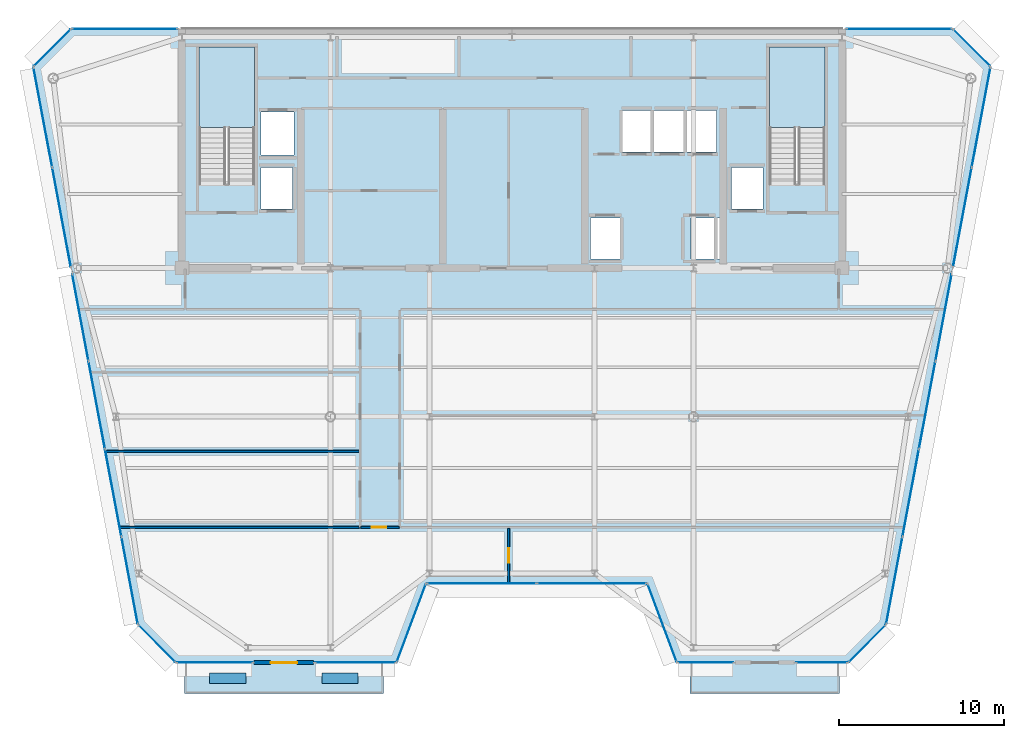
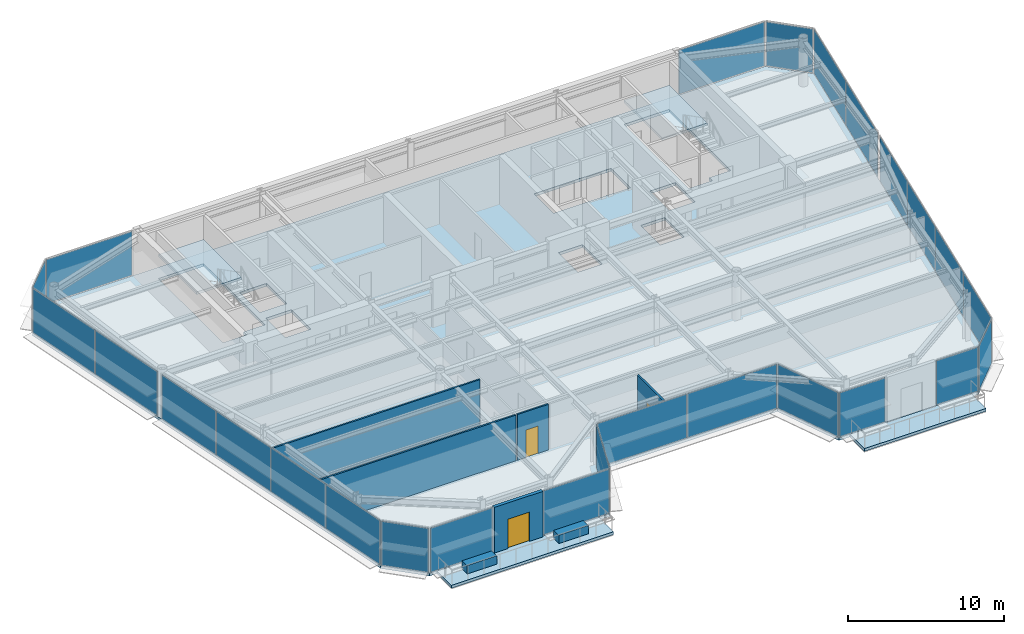
# One storey, part 10 of 20: 26 plates, 7 walls, 5 slabs, 3 doors, 3 openings, 19 elements without a shape of their own.
"""IFC4 building model written with IfcOpenShell, lengths in metres."""

from ifc_helpers import new_model, si_unit, direction, frame, frame_2d, origin, origin_2d, place, context, subcontext, project, spatial, polyline, rectangle, outline, extrude, source, transform, mapped, material, layer, layer_set, type_object, element, fill, aggregate, save


model = new_model("IFC4")

# Units and contexts
model_context = context("Model", 3, precision=1e-05, world=origin(), true_north=direction((0.0, 1.0)))
body_context = subcontext(model_context, "Body", "Model", "MODEL_VIEW")
ifc_project = project(units=[si_unit("LENGTHUNIT", "METRE"), si_unit("AREAUNIT", "SQUARE_METRE"), si_unit("VOLUMEUNIT", "CUBIC_METRE"), si_unit("PLANEANGLEUNIT", "RADIAN"), si_unit("MASSUNIT", "GRAM", prefix="KILO")], contexts=[model_context])

# Site, building, storey
site_placement = place(None, origin())
site = spatial("IfcSite", under=ifc_project, at=site_placement, CompositionType="ELEMENT")
building_placement = place(site_placement, origin())
building = spatial("IfcBuilding", under=site, at=building_placement, Name="Vaeldorn Concourse Tower", CompositionType="ELEMENT")
storey_placement = place(building_placement, frame((0.0, 0.0, 268.800048828125)))
storey = spatial("IfcBuildingStorey", under=building, at=storey_placement, Name="L69", CompositionType="ELEMENT", Elevation=268.800048828125)

# Slabs
ifc_material_1 = material(Name="Concrete C40/50", Category="concrete")
ifc_layer_1 = layer(ifc_material_1, 0.219970703125)
ifc_layer_set_1 = layer_set([ifc_layer_1], Name="Concrete C40/50")
slab_type_1 = type_object("IfcSlabType", Name="SL-SKYGARDEN", PredefinedType="FLOOR", material=ifc_layer_set_1)
slab_1_placement = place(storey_placement, frame((0.0, 0.0, -0.219970703125)))
element("IfcSlab", 1, at=slab_1_placement, inside=storey, type_object=slab_type_1, Name="Executive Crest Sky Garden Terrace Slab 1", PredefinedType="FLOOR", context=body_context, shape_type="SweptSolid", body=[
    extrude(outline(polyline([(14.166015625, 10.719970703125), (26.199951171875, 10.719970703125), (26.199951171875, 12.580078125), (14.166015625, 12.580078125), (14.166015625, 10.719970703125)])), origin(), (0.0, 0.0, 1.0), 0.219970703125),
])
slab_2_placement = place(storey_placement, frame((0.0, 0.0, -0.219970703125)))
element("IfcSlab", 2, at=slab_2_placement, inside=storey, type_object=slab_type_1, Name="Executive Crest Sky Garden Terrace Slab 2", PredefinedType="FLOOR", context=body_context, shape_type="SweptSolid", body=[
    extrude(outline(polyline([(44.800048828125, 10.719970703125), (53.833984375, 10.719970703125), (53.833984375, 12.580078125), (44.800048828125, 12.580078125), (44.800048828125, 10.719970703125)])), origin(), (0.0, 0.0, 1.0), 0.219970703125),
])

# Stair, slab
ifc_material_2 = material(Name="Precast concrete C40/50", Category="concrete")
stair_type = type_object("IfcStairType", Name="STR-DOG-24x158", PredefinedType="HALF_TURN_STAIR", material=ifc_material_2)
stair_1_placement = place(storey_placement, origin())
stair_1 = element("IfcStair", 3, at=stair_1_placement, inside=storey, type_object=stair_type, Name="L69 West Core Exit Stair ST-1", PredefinedType="HALF_TURN_STAIR")
ifc_layer_2 = layer(ifc_material_1, 0.199951171875)
ifc_layer_set_2 = layer_set([ifc_layer_2], Name="Concrete C40/50")
slab_type_2 = type_object("IfcSlabType", Name="SL-STAIR-LANDING", PredefinedType="LANDING", material=ifc_layer_set_2)
slab_3_placement = place(storey_placement, frame((0.0, 0.0, 1.699951171875)))
slab_3 = element("IfcSlab", 4, at=slab_3_placement, type_object=slab_type_2, Name="ST-1 landing 1", PredefinedType="LANDING", context=body_context, shape_type="SweptSolid", body=[
    extrude(outline(polyline([(18.39990234375, 45.010009765625), (18.39990234375, 49.89990234375), (15.050048828125, 49.89990234375), (15.050048828125, 45.010009765625), (18.39990234375, 45.010009765625)])), origin(), (0.0, 0.0, 1.0), 0.199951171875),
])
aggregate(stair_1, [slab_3])

stair_2_placement = place(storey_placement, origin())
stair_2 = element("IfcStair", 5, at=stair_2_placement, inside=storey, type_object=stair_type, Name="L69 East Core Exit Stair ST-2", PredefinedType="HALF_TURN_STAIR")
slab_4_placement = place(storey_placement, frame((0.0, 0.0, 1.699951171875)))
slab_4 = element("IfcSlab", 6, at=slab_4_placement, type_object=slab_type_2, Name="ST-2 landing 1", PredefinedType="LANDING", context=body_context, shape_type="SweptSolid", body=[
    extrude(outline(polyline([(52.949951171875, 45.010009765625), (52.949951171875, 49.89990234375), (49.60009765625, 49.89990234375), (49.60009765625, 45.010009765625), (52.949951171875, 45.010009765625)])), origin(), (0.0, 0.0, 1.0), 0.199951171875),
])
aggregate(stair_2, [slab_4])

# Slab
ifc_layer_3 = layer(ifc_material_1, 0.219970703125)
ifc_layer_set_3 = layer_set([ifc_layer_3], Name="Concrete C40/50")
slab_type_3 = type_object("IfcSlabType", Name="SL-TYP-220", PredefinedType="FLOOR", material=ifc_layer_set_3)
slab_5_placement = place(storey_placement, frame((0.0, 0.0, -0.219970703125)))
element("IfcSlab", 7, at=slab_5_placement, inside=storey, type_object=slab_type_3, Name="Structural Floor Slab L69", PredefinedType="FLOOR", context=body_context, shape_type="SweptSolid", body=[
    extrude(outline(polyline([(13.635986328125, 12.60009765625), (27.0, 12.60009765625), (28.800048828125, 17.39990234375), (42.199951171875, 17.39990234375), (44.0, 12.60009765625), (54.364013671875, 12.60009765625), (56.6640625, 14.89990234375), (63.0, 48.699951171875), (60.699951171875, 51.0), (7.300048828125, 51.0), (5.0, 48.699951171875), (11.3359375, 14.89990234375), (13.635986328125, 12.60009765625)]), holes=[polyline([(18.39990234375, 42.0), (18.39990234375, 49.89990234375), (15.050048828125, 49.89990234375), (15.050048828125, 41.60009765625), (16.800048828125, 41.60009765625), (16.800048828125, 42.0), (18.39990234375, 42.0)]), polyline([(52.949951171875, 42.0), (52.949951171875, 49.89990234375), (49.60009765625, 49.89990234375), (49.60009765625, 41.60009765625), (51.35009765625, 41.60009765625), (51.35009765625, 42.0), (52.949951171875, 42.0)]), polyline([(38.75, 37.050048828125), (40.550048828125, 37.050048828125), (40.550048828125, 39.550048828125), (38.75, 39.550048828125), (38.75, 37.050048828125)]), polyline([(44.85009765625, 37.050048828125), (46.64990234375, 37.050048828125), (46.64990234375, 39.550048828125), (44.85009765625, 39.550048828125), (44.85009765625, 37.050048828125)]), polyline([(40.699951171875, 43.550048828125), (46.39990234375, 43.550048828125), (46.39990234375, 46.050048828125), (40.699951171875, 46.050048828125), (40.699951171875, 43.550048828125)]), polyline([(18.800048828125, 43.35009765625), (20.800048828125, 43.35009765625), (20.800048828125, 45.949951171875), (18.800048828125, 45.949951171875), (18.800048828125, 43.35009765625)]), polyline([(18.800048828125, 40.10009765625), (20.699951171875, 40.10009765625), (20.699951171875, 42.60009765625), (18.800048828125, 42.60009765625), (18.800048828125, 40.10009765625)]), polyline([(47.300048828125, 40.10009765625), (49.199951171875, 40.10009765625), (49.199951171875, 42.60009765625), (47.300048828125, 42.60009765625), (47.300048828125, 40.10009765625)])]), origin(), (0.0, 0.0, 1.0), 0.219970703125),
])

# Curtain wall, plate
ifc_material_3 = material(Name="Anodised Bronze Aluminium", Category="aluminium")
ifc_layer_4 = layer(ifc_material_3, 0.2099609375)
ifc_layer_set_4 = layer_set([ifc_layer_4], Name="Anodised Bronze Aluminium")
curtain_wall_type_1 = type_object("IfcCurtainWallType", Name="CW-SYS-06", PredefinedType="NOTDEFINED", material=ifc_layer_set_4)
curtain_wall_1_placement = place(storey_placement, origin())
curtain_wall_1 = element("IfcCurtainWall", 8, at=curtain_wall_1_placement, inside=storey, type_object=curtain_wall_type_1, Name="Unitised Curtain Wall CW-L69-E02-1", PredefinedType="NOTDEFINED")
ifc_material_4 = material(Name="Bronze Tinted Low-E Insulated Glass", Category="glass")
ifc_layer_5 = layer(ifc_material_4, 0.031982421875)
ifc_layer_set_5 = layer_set([ifc_layer_5], Name="Bronze Tinted Low-E Insulated Glass")
plate_type = type_object("IfcPlateType", Name="CWP-VISION-32", PredefinedType="CURTAIN_PANEL", material=ifc_layer_set_5)
shared_shape_1 = source(origin(), body_context, "Body", "SweptSolid", [
    extrude(rectangle(XDim=4.996337890625, YDim=0.031982421875, at=origin_2d()), origin(), (0.0, 0.0, 1.0), 3.449951171875),
])
plate_1_placement = place(storey_placement, frame((27.89990234375, 15.0, 0.06494140625), z_axis=(0.0, 0.0, 1.0), x_axis=(0.351123441595, 0.936329177566, 0.0)))
plate_1 = element("IfcPlate", 9, at=plate_1_placement, type_object=plate_type, Name="CW-06 panel 1.1", PredefinedType="CURTAIN_PANEL", context=body_context, shape_type="MappedRepresentation", body=[
    mapped(shared_shape_1, transform((0.0, 0.0, 0.0), scale=1.0)),
])
aggregate(curtain_wall_1, [plate_1])

curtain_wall_2_placement = place(storey_placement, origin())
curtain_wall_2 = element("IfcCurtainWall", 10, at=curtain_wall_2_placement, inside=storey, type_object=curtain_wall_type_1, Name="Unitised Curtain Wall CW-L69-E04-1", PredefinedType="NOTDEFINED")
plate_2_placement = place(storey_placement, frame((43.10009765625, 15.0, 0.06494140625), z_axis=(0.0, 0.0, 1.0), x_axis=(0.351123441595, -0.936329177566, 0.0)))
plate_2 = element("IfcPlate", 11, at=plate_2_placement, type_object=plate_type, Name="CW-06 panel 1.1", PredefinedType="CURTAIN_PANEL", context=body_context, shape_type="MappedRepresentation", body=[
    mapped(shared_shape_1, transform((0.0, 0.0, 0.0), scale=1.0)),
])
aggregate(curtain_wall_2, [plate_2])

# Curtain wall, plates
curtain_wall_3_placement = place(storey_placement, origin())
curtain_wall_3 = element("IfcCurtainWall", 12, at=curtain_wall_3_placement, inside=storey, type_object=curtain_wall_type_1, Name="Unitised Curtain Wall CW-L69-E03-1", PredefinedType="NOTDEFINED")
shared_shape_2 = source(origin(), body_context, "Body", "SweptSolid", [
    extrude(rectangle(XDim=6.6025390625, YDim=0.031982421875, at=origin_2d()), origin(), (0.0, 0.0, 1.0), 3.449951171875),
])
plate_3_placement = place(storey_placement, frame((32.166259765625, 17.39990234375, 0.06494140625), z_axis=(0.0, 0.0, 1.0), x_axis=(1.0, 0.0, 0.0)))
plate_3 = element("IfcPlate", 13, at=plate_3_placement, type_object=plate_type, Name="CW-06 panel 1.1", PredefinedType="CURTAIN_PANEL", context=body_context, shape_type="MappedRepresentation", body=[
    mapped(shared_shape_2, transform((0.0, 0.0, 0.0), scale=1.0)),
])
plate_4_placement = place(storey_placement, frame((38.833740234375, 17.39990234375, 0.06494140625), z_axis=(0.0, 0.0, 1.0), x_axis=(1.0, 0.0, 0.0)))
plate_4 = element("IfcPlate", 14, at=plate_4_placement, type_object=plate_type, Name="CW-06 panel 2.1", PredefinedType="CURTAIN_PANEL", context=body_context, shape_type="MappedRepresentation", body=[
    mapped(shared_shape_2, transform((0.0, 0.0, 0.0), scale=1.0)),
])
aggregate(curtain_wall_3, [plate_3, plate_4])

# Curtain wall, plate
curtain_wall_4_placement = place(storey_placement, origin())
curtain_wall_4 = element("IfcCurtainWall", 15, at=curtain_wall_4_placement, inside=storey, type_object=curtain_wall_type_1, Name="Unitised Curtain Wall CW-L69-E06-1", PredefinedType="NOTDEFINED")
shared_shape_3 = source(origin(), body_context, "Body", "SweptSolid", [
    extrude(rectangle(XDim=3.122802734375, YDim=0.031982421875, at=origin_2d()), origin(), (0.0, 0.0, 1.0), 3.449951171875),
])
plate_5_placement = place(storey_placement, frame((55.513916015625, 13.75, 0.06494140625), z_axis=(0.0, 0.0, 1.0), x_axis=(0.707106781187, 0.707106781187, 0.0)))
plate_5 = element("IfcPlate", 16, at=plate_5_placement, type_object=plate_type, Name="CW-06 panel 1.1", PredefinedType="CURTAIN_PANEL", context=body_context, shape_type="MappedRepresentation", body=[
    mapped(shared_shape_3, transform((0.0, 0.0, 0.0), scale=1.0)),
])
aggregate(curtain_wall_4, [plate_5])

ifc_layer_6 = layer(ifc_material_3, 0.179931640625)
ifc_layer_set_6 = layer_set([ifc_layer_6], Name="Anodised Bronze Aluminium")
curtain_wall_type_2 = type_object("IfcCurtainWallType", Name="CW-SYS-05", PredefinedType="NOTDEFINED", material=ifc_layer_set_6)
curtain_wall_5_placement = place(storey_placement, origin())
curtain_wall_5 = element("IfcCurtainWall", 17, at=curtain_wall_5_placement, inside=storey, type_object=curtain_wall_type_2, Name="Unitised Curtain Wall CW-L69-E08-1", PredefinedType="NOTDEFINED")
plate_6_placement = place(storey_placement, frame((61.85009765625, 49.85009765625, 0.06494140625), z_axis=(0.0, 0.0, 1.0), x_axis=(-0.707106781187, 0.707106781187, 0.0)))
plate_6 = element("IfcPlate", 18, at=plate_6_placement, type_object=plate_type, Name="CW-05 panel 1.1", PredefinedType="CURTAIN_PANEL", context=body_context, shape_type="MappedRepresentation", body=[
    mapped(shared_shape_3, transform((0.0, 0.0, 0.0), scale=1.0)),
])
aggregate(curtain_wall_5, [plate_6])

curtain_wall_6_placement = place(storey_placement, origin())
curtain_wall_6 = element("IfcCurtainWall", 19, at=curtain_wall_6_placement, inside=storey, type_object=curtain_wall_type_2, Name="Unitised Curtain Wall CW-L69-E10-1", PredefinedType="NOTDEFINED")
plate_7_placement = place(storey_placement, frame((6.14990234375, 49.85009765625, 0.06494140625), z_axis=(0.0, 0.0, 1.0), x_axis=(-0.707106781187, -0.707106781187, 0.0)))
plate_7 = element("IfcPlate", 20, at=plate_7_placement, type_object=plate_type, Name="CW-05 panel 1.1", PredefinedType="CURTAIN_PANEL", context=body_context, shape_type="MappedRepresentation", body=[
    mapped(shared_shape_3, transform((0.0, 0.0, 0.0), scale=1.0)),
])
aggregate(curtain_wall_6, [plate_7])

curtain_wall_7_placement = place(storey_placement, origin())
curtain_wall_7 = element("IfcCurtainWall", 21, at=curtain_wall_7_placement, inside=storey, type_object=curtain_wall_type_1, Name="Unitised Curtain Wall CW-L69-E12-1", PredefinedType="NOTDEFINED")
plate_8_placement = place(storey_placement, frame((12.486083984375, 13.75, 0.06494140625), z_axis=(0.0, 0.0, 1.0), x_axis=(0.707106781187, -0.707106781187, 0.0)))
plate_8 = element("IfcPlate", 22, at=plate_8_placement, type_object=plate_type, Name="CW-06 panel 1.1", PredefinedType="CURTAIN_PANEL", context=body_context, shape_type="MappedRepresentation", body=[
    mapped(shared_shape_3, transform((0.0, 0.0, 0.0), scale=1.0)),
])
aggregate(curtain_wall_7, [plate_8])

curtain_wall_8_placement = place(storey_placement, origin())
curtain_wall_8 = element("IfcCurtainWall", 23, at=curtain_wall_8_placement, inside=storey, type_object=curtain_wall_type_2, Name="Unitised Curtain Wall CW-L69-E09-1", PredefinedType="NOTDEFINED")
shared_shape_4 = source(origin(), body_context, "Body", "SweptSolid", [
    extrude(rectangle(XDim=6.35009765625, YDim=0.031982421875, at=origin_2d()), origin(), (0.0, 0.0, 1.0), 3.449951171875),
])
plate_9_placement = place(storey_placement, frame((57.4599609375, 51.0, 0.06494140625), z_axis=(0.0, 0.0, 1.0), x_axis=(-1.0, 0.0, 0.0)))
plate_9 = element("IfcPlate", 24, at=plate_9_placement, type_object=plate_type, Name="CW-05 panel 1.1", PredefinedType="CURTAIN_PANEL", context=body_context, shape_type="MappedRepresentation", body=[
    mapped(shared_shape_4, transform((0.0, 0.0, 0.0), scale=1.0)),
])
aggregate(curtain_wall_8, [plate_9])

curtain_wall_9_placement = place(storey_placement, origin())
curtain_wall_9 = element("IfcCurtainWall", 25, at=curtain_wall_9_placement, inside=storey, type_object=curtain_wall_type_2, Name="Unitised Curtain Wall CW-L69-E09-2", PredefinedType="NOTDEFINED")
plate_10_placement = place(storey_placement, frame((10.5400390625, 51.0, 0.06494140625), z_axis=(0.0, 0.0, 1.0), x_axis=(-1.0, 0.0, 0.0)))
plate_10 = element("IfcPlate", 26, at=plate_10_placement, type_object=plate_type, Name="CW-05 panel 1.1", PredefinedType="CURTAIN_PANEL", context=body_context, shape_type="MappedRepresentation", body=[
    mapped(shared_shape_4, transform((0.0, 0.0, 0.0), scale=1.0)),
])
aggregate(curtain_wall_9, [plate_10])

curtain_wall_10_placement = place(storey_placement, origin())
curtain_wall_10 = element("IfcCurtainWall", 27, at=curtain_wall_10_placement, inside=storey, type_object=curtain_wall_type_1, Name="Unitised Curtain Wall CW-L69-E01-1", PredefinedType="NOTDEFINED")
shared_shape_5 = source(origin(), body_context, "Body", "SweptSolid", [
    extrude(rectangle(XDim=4.573974609375, YDim=0.031982421875, at=origin_2d()), origin(), (0.0, 0.0, 1.0), 3.449951171875),
])
plate_11_placement = place(storey_placement, frame((15.988037109375, 12.60009765625, 0.06494140625), z_axis=(0.0, 0.0, 1.0), x_axis=(1.0, 0.0, 0.0)))
plate_11 = element("IfcPlate", 28, at=plate_11_placement, type_object=plate_type, Name="CW-06 panel 1.1", PredefinedType="CURTAIN_PANEL", context=body_context, shape_type="MappedRepresentation", body=[
    mapped(shared_shape_5, transform((0.0, 0.0, 0.0), scale=1.0)),
])
aggregate(curtain_wall_10, [plate_11])

curtain_wall_11_placement = place(storey_placement, origin())
curtain_wall_11 = element("IfcCurtainWall", 29, at=curtain_wall_11_placement, inside=storey, type_object=curtain_wall_type_1, Name="Unitised Curtain Wall CW-L69-E01-2", PredefinedType="NOTDEFINED")
shared_shape_6 = source(origin(), body_context, "Body", "SweptSolid", [
    extrude(rectangle(XDim=4.85009765625, YDim=0.031982421875, at=origin_2d()), origin(), (0.0, 0.0, 1.0), 3.449951171875),
])
plate_12_placement = place(storey_placement, frame((24.510009765625, 12.60009765625, 0.06494140625), z_axis=(0.0, 0.0, 1.0), x_axis=(1.0, 0.0, 0.0)))
plate_12 = element("IfcPlate", 30, at=plate_12_placement, type_object=plate_type, Name="CW-06 panel 1.1", PredefinedType="CURTAIN_PANEL", context=body_context, shape_type="MappedRepresentation", body=[
    mapped(shared_shape_6, transform((0.0, 0.0, 0.0), scale=1.0)),
])
aggregate(curtain_wall_11, [plate_12])

curtain_wall_12_placement = place(storey_placement, origin())
curtain_wall_12 = element("IfcCurtainWall", 31, at=curtain_wall_12_placement, inside=storey, type_object=curtain_wall_type_1, Name="Unitised Curtain Wall CW-L69-E05-1", PredefinedType="NOTDEFINED")
shared_shape_7 = source(origin(), body_context, "Body", "SweptSolid", [
    extrude(rectangle(XDim=3.35009765625, YDim=0.031982421875, at=origin_2d()), origin(), (0.0, 0.0, 1.0), 3.449951171875),
])
plate_13_placement = place(storey_placement, frame((45.739990234375, 12.60009765625, 0.06494140625), z_axis=(0.0, 0.0, 1.0), x_axis=(1.0, 0.0, 0.0)))
plate_13 = element("IfcPlate", 32, at=plate_13_placement, type_object=plate_type, Name="CW-06 panel 1.1", PredefinedType="CURTAIN_PANEL", context=body_context, shape_type="MappedRepresentation", body=[
    mapped(shared_shape_7, transform((0.0, 0.0, 0.0), scale=1.0)),
])
aggregate(curtain_wall_12, [plate_13])

curtain_wall_13_placement = place(storey_placement, origin())
curtain_wall_13 = element("IfcCurtainWall", 33, at=curtain_wall_13_placement, inside=storey, type_object=curtain_wall_type_1, Name="Unitised Curtain Wall CW-L69-E05-2", PredefinedType="NOTDEFINED")
shared_shape_8 = source(origin(), body_context, "Body", "SweptSolid", [
    extrude(rectangle(XDim=3.073974609375, YDim=0.031982421875, at=origin_2d()), origin(), (0.0, 0.0, 1.0), 3.449951171875),
])
plate_14_placement = place(storey_placement, frame((52.761962890625, 12.60009765625, 0.06494140625), z_axis=(0.0, 0.0, 1.0), x_axis=(1.0, 0.0, 0.0)))
plate_14 = element("IfcPlate", 34, at=plate_14_placement, type_object=plate_type, Name="CW-06 panel 1.1", PredefinedType="CURTAIN_PANEL", context=body_context, shape_type="MappedRepresentation", body=[
    mapped(shared_shape_8, transform((0.0, 0.0, 0.0), scale=1.0)),
])
aggregate(curtain_wall_13, [plate_14])

# Curtain wall, plates
curtain_wall_14_placement = place(storey_placement, origin())
curtain_wall_14 = element("IfcCurtainWall", 35, at=curtain_wall_14_placement, inside=storey, type_object=curtain_wall_type_1, Name="Unitised Curtain Wall CW-L69-E07-1", PredefinedType="NOTDEFINED")
shared_shape_9 = source(origin(), body_context, "Body", "SweptSolid", [
    extrude(rectangle(XDim=5.31640625, YDim=0.031982421875, at=origin_2d()), origin(), (0.0, 0.0, 1.0), 3.449951171875),
])
plate_15_placement = place(storey_placement, frame((57.165771484375, 17.57666015625, 0.06494140625), z_axis=(0.0, 0.0, 1.0), x_axis=(0.184246714088, 0.982880027444, 0.0)))
plate_15 = element("IfcPlate", 36, at=plate_15_placement, type_object=plate_type, Name="CW-06 panel 1.1", PredefinedType="CURTAIN_PANEL", context=body_context, shape_type="MappedRepresentation", body=[
    mapped(shared_shape_9, transform((0.0, 0.0, 0.0), scale=1.0)),
])
plate_16_placement = place(storey_placement, frame((60.15234375, 33.50830078125, 0.06494140625), z_axis=(0.0, 0.0, 1.0), x_axis=(0.184246714088, 0.982880027444, 0.0)))
plate_16 = element("IfcPlate", 37, at=plate_16_placement, type_object=plate_type, Name="CW-06 panel 4.1", PredefinedType="CURTAIN_PANEL", context=body_context, shape_type="MappedRepresentation", body=[
    mapped(shared_shape_9, transform((0.0, 0.0, 0.0), scale=1.0)),
])

curtain_wall_15_placement = place(storey_placement, origin())
curtain_wall_15 = element("IfcCurtainWall", 38, at=curtain_wall_15_placement, inside=storey, type_object=curtain_wall_type_1, Name="Unitised Curtain Wall CW-L69-E11-2", PredefinedType="NOTDEFINED")
plate_17_placement = place(storey_placement, frame((7.84765625, 33.50830078125, 0.06494140625), z_axis=(0.0, 0.0, 1.0), x_axis=(0.184246714088, -0.982880027444, 0.0)))
plate_17 = element("IfcPlate", 39, at=plate_17_placement, type_object=plate_type, Name="CW-06 panel 1.1", PredefinedType="CURTAIN_PANEL", context=body_context, shape_type="MappedRepresentation", body=[
    mapped(shared_shape_9, transform((0.0, 0.0, 0.0), scale=1.0)),
])
plate_18_placement = place(storey_placement, frame((10.834228515625, 17.57666015625, 0.06494140625), z_axis=(0.0, 0.0, 1.0), x_axis=(0.184246714088, -0.982880027444, 0.0)))
plate_18 = element("IfcPlate", 40, at=plate_18_placement, type_object=plate_type, Name="CW-06 panel 4.1", PredefinedType="CURTAIN_PANEL", context=body_context, shape_type="MappedRepresentation", body=[
    mapped(shared_shape_9, transform((0.0, 0.0, 0.0), scale=1.0)),
])

# Plate
shared_shape_10 = source(origin(), body_context, "Body", "SweptSolid", [
    extrude(rectangle(XDim=5.348876953125, YDim=0.031982421875, at=origin_2d()), origin(), (0.0, 0.0, 1.0), 3.449951171875),
])
plate_19_placement = place(storey_placement, frame((58.16015625, 22.8818359375, 0.06494140625), z_axis=(0.0, 0.0, 1.0), x_axis=(0.184246714088, 0.982880027444, 0.0)))
plate_19 = element("IfcPlate", 41, at=plate_19_placement, type_object=plate_type, Name="CW-06 panel 2.1", PredefinedType="CURTAIN_PANEL", context=body_context, shape_type="MappedRepresentation", body=[
    mapped(shared_shape_10, transform((0.0, 0.0, 0.0), scale=1.0)),
])

plate_20_placement = place(storey_placement, frame((59.15771484375, 28.203125, 0.06494140625), z_axis=(0.0, 0.0, 1.0), x_axis=(0.184246714088, 0.982880027444, 0.0)))
plate_20 = element("IfcPlate", 42, at=plate_20_placement, type_object=plate_type, Name="CW-06 panel 3.1", PredefinedType="CURTAIN_PANEL", context=body_context, shape_type="MappedRepresentation", body=[
    mapped(shared_shape_10, transform((0.0, 0.0, 0.0), scale=1.0)),
])

aggregate(curtain_wall_14, [plate_15, plate_19, plate_20, plate_16])

plate_21_placement = place(storey_placement, frame((8.84228515625, 28.203125, 0.06494140625), z_axis=(0.0, 0.0, 1.0), x_axis=(0.184246714088, -0.982880027444, 0.0)))
plate_21 = element("IfcPlate", 43, at=plate_21_placement, type_object=plate_type, Name="CW-06 panel 2.1", PredefinedType="CURTAIN_PANEL", context=body_context, shape_type="MappedRepresentation", body=[
    mapped(shared_shape_10, transform((0.0, 0.0, 0.0), scale=1.0)),
])

plate_22_placement = place(storey_placement, frame((9.83984375, 22.8818359375, 0.06494140625), z_axis=(0.0, 0.0, 1.0), x_axis=(0.184246714088, -0.982880027444, 0.0)))
plate_22 = element("IfcPlate", 44, at=plate_22_placement, type_object=plate_type, Name="CW-06 panel 3.1", PredefinedType="CURTAIN_PANEL", context=body_context, shape_type="MappedRepresentation", body=[
    mapped(shared_shape_10, transform((0.0, 0.0, 0.0), scale=1.0)),
])

aggregate(curtain_wall_15, [plate_17, plate_21, plate_22, plate_18])

# Curtain wall, plates
curtain_wall_16_placement = place(storey_placement, origin())
curtain_wall_16 = element("IfcCurtainWall", 45, at=curtain_wall_16_placement, inside=storey, type_object=curtain_wall_type_1, Name="Unitised Curtain Wall CW-L69-E07-2", PredefinedType="NOTDEFINED")
shared_shape_11 = source(origin(), body_context, "Body", "SweptSolid", [
    extrude(rectangle(XDim=6.103515625, YDim=0.031982421875, at=origin_2d()), origin(), (0.0, 0.0, 1.0), 3.449951171875),
])
plate_23_placement = place(storey_placement, frame((61.289306640625, 39.57373046875, 0.06494140625), z_axis=(0.0, 0.0, 1.0), x_axis=(0.184245693053, 0.982880218842, 0.0)))
plate_23 = element("IfcPlate", 46, at=plate_23_placement, type_object=plate_type, Name="CW-06 panel 1.1", PredefinedType="CURTAIN_PANEL", context=body_context, shape_type="MappedRepresentation", body=[
    mapped(shared_shape_11, transform((0.0, 0.0, 0.0), scale=1.0)),
])
plate_24_placement = place(storey_placement, frame((62.42578125, 45.63671875, 0.06494140625), z_axis=(0.0, 0.0, 1.0), x_axis=(0.184245693053, 0.982880218842, 0.0)))
plate_24 = element("IfcPlate", 47, at=plate_24_placement, type_object=plate_type, Name="CW-06 panel 2.1", PredefinedType="CURTAIN_PANEL", context=body_context, shape_type="MappedRepresentation", body=[
    mapped(shared_shape_11, transform((0.0, 0.0, 0.0), scale=1.0)),
])
aggregate(curtain_wall_16, [plate_23, plate_24])

curtain_wall_17_placement = place(storey_placement, origin())
curtain_wall_17 = element("IfcCurtainWall", 48, at=curtain_wall_17_placement, inside=storey, type_object=curtain_wall_type_1, Name="Unitised Curtain Wall CW-L69-E11-1", PredefinedType="NOTDEFINED")
plate_25_placement = place(storey_placement, frame((5.57421875, 45.63671875, 0.06494140625), z_axis=(0.0, 0.0, 1.0), x_axis=(0.184245693053, -0.982880218842, 0.0)))
plate_25 = element("IfcPlate", 49, at=plate_25_placement, type_object=plate_type, Name="CW-06 panel 1.1", PredefinedType="CURTAIN_PANEL", context=body_context, shape_type="MappedRepresentation", body=[
    mapped(shared_shape_11, transform((0.0, 0.0, 0.0), scale=1.0)),
])
plate_26_placement = place(storey_placement, frame((6.710693359375, 39.57373046875, 0.06494140625), z_axis=(0.0, 0.0, 1.0), x_axis=(0.184245693053, -0.982880218842, 0.0)))
plate_26 = element("IfcPlate", 50, at=plate_26_placement, type_object=plate_type, Name="CW-06 panel 2.1", PredefinedType="CURTAIN_PANEL", context=body_context, shape_type="MappedRepresentation", body=[
    mapped(shared_shape_11, transform((0.0, 0.0, 0.0), scale=1.0)),
])
aggregate(curtain_wall_17, [plate_25, plate_26])

# Wall, opening, door
ifc_layer_7 = layer(ifc_material_2, 0.25)
ifc_layer_set_7 = layer_set([ifc_layer_7], Name="Precast concrete C40/50")
wall_type_1 = type_object("IfcWallType", Name="WL-EXT-TERRACE-250", PredefinedType="STANDARD", material=ifc_layer_set_7)
wall_1_placement = place(storey_placement, frame((21.97998046875, 12.60009765625, 0.0), z_axis=(0.0, 0.0, 1.0), x_axis=(-1.0, 0.0, 0.0)))
wall_1 = element("IfcWall", 51, at=wall_1_placement, inside=storey, type_object=wall_type_1, Name="Sawtooth Sky Garden Portal Wall L69-1", PredefinedType="STANDARD", context=body_context, shape_type="SweptSolid", body=[
    extrude(rectangle(XDim=3.60009765625, YDim=0.25, at=frame_2d((1.800048828125, 0.0))), origin(), (0.0, 0.0, 1.0), 3.579833984375),
])
opening_1_placement = place(wall_1_placement, frame((1.0, 0.0, 0.0)))
opening_1 = element("IfcOpeningElement", 52, at=opening_1_placement, cuts=wall_1, Name="Opening DG-1", PredefinedType="OPENING", context=body_context, shape_type="SweptSolid", body=[
    extrude(rectangle(XDim=1.60009765625, YDim=2.300048828125, at=frame_2d((0.800048828125, 1.14990234375))), frame((0.0, 0.135009765625, 0.0), z_axis=(0.0, -1.0, 0.0), x_axis=(1.0, 0.0, 0.0)), (0.0, 0.0, 1.0), 0.27001953125),
])
door_type_1 = type_object("IfcDoorType", Name="DR-EXTERNAL-1600", OperationType="DOUBLE_DOOR_SINGLE_SWING", PredefinedType="DOOR", material=ifc_material_3)
shared_shape_12 = source(origin(), body_context, "Body", "SweptSolid", [
    extrude(rectangle(XDim=1.60009765625, YDim=2.300048828125, at=frame_2d((0.800048828125, 1.14990234375))), frame((0.0, 0.02490234375, 0.0), z_axis=(0.0, -1.0, 0.0), x_axis=(1.0, 0.0, 0.0)), (0.0, 0.0, 1.0), 0.050048828125),
])
door_1_placement = place(opening_1_placement, origin())
door_1 = element("IfcDoor", 53, at=door_1_placement, inside=storey, type_object=door_type_1, Name="Sawtooth Sky Garden Terrace Door L69-1", OperationType="DOUBLE_DOOR_SINGLE_SWING", OverallHeight=2.300048828125, OverallWidth=1.60009765625, PredefinedType="DOOR", context=body_context, shape_type="MappedRepresentation", body=[
    mapped(shared_shape_12, transform((0.0, 0.0, 0.0), scale=1.0)),
])
fill(opening_1, door_1)

ifc_material_5 = material(Name="Gypsum Board Partition", Category="gypsum")
ifc_layer_8 = layer(ifc_material_5, 0.1201171875)
ifc_layer_set_8 = layer_set([ifc_layer_8], Name="Gypsum Board Partition")
wall_type_2 = type_object("IfcWallType", Name="WL-PART-120", PredefinedType="PARTITIONING", material=ifc_layer_set_8)
wall_2_placement = place(storey_placement, frame((24.840087890625, 20.800048828125, 0.0), z_axis=(0.0, 0.0, 1.0), x_axis=(1.0, 0.0, 0.0)))
wall_2 = element("IfcWall", 54, at=wall_2_placement, inside=storey, type_object=wall_type_2, Name="Interior Wall PW-L69-CSPS", PredefinedType="PARTITIONING", context=body_context, shape_type="SweptSolid", body=[
    extrude(rectangle(XDim=2.31982421875, YDim=0.1201171875, at=frame_2d((1.159912109375, 0.0))), origin(), (0.0, 0.0, 1.0), 3.579833984375),
])
opening_2_placement = place(wall_2_placement, frame((0.64990234375, 0.0, 0.0)))
opening_2 = element("IfcOpeningElement", 55, at=opening_2_placement, cuts=wall_2, Name="Opening D-03", PredefinedType="OPENING", context=body_context, shape_type="SweptSolid", body=[
    extrude(rectangle(XDim=0.89990234375, YDim=2.14990234375, at=frame_2d((0.449951171875, 1.074951171875))), frame((0.0, 0.070068359375, 0.0), z_axis=(0.0, -1.0, 0.0), x_axis=(1.0, 0.0, 0.0)), (0.0, 0.0, 1.0), 0.14013671875),
])
ifc_material_6 = material(Name="Acoustic Bronze-Framed Glass Door", Category="glass")
door_type_2 = type_object("IfcDoorType", Name="DR-INT-900", OperationType="NOTDEFINED", PredefinedType="DOOR", material=ifc_material_6)
shared_shape_13 = source(origin(), body_context, "Body", "SweptSolid", [
    extrude(rectangle(XDim=0.89990234375, YDim=2.14990234375, at=frame_2d((0.449951171875, 1.074951171875))), frame((0.0, 0.02490234375, 0.0), z_axis=(0.0, -1.0, 0.0), x_axis=(1.0, 0.0, 0.0)), (0.0, 0.0, 1.0), 0.050048828125),
])
door_2_placement = place(opening_2_placement, origin())
door_2 = element("IfcDoor", 56, at=door_2_placement, inside=storey, type_object=door_type_2, Name="Interior Door DR-L69-Z3SM", OperationType="SINGLE_SWING_LEFT", OverallHeight=2.14990234375, OverallWidth=0.89990234375, PredefinedType="DOOR", context=body_context, shape_type="MappedRepresentation", body=[
    mapped(shared_shape_13, transform((0.0, 0.0, 0.0), scale=1.0)),
])
fill(opening_2, door_2)

# Walls
wall_3_placement = place(storey_placement, frame((9.40771484375, 25.39990234375, 0.0), z_axis=(0.0, 0.0, 1.0), x_axis=(1.0, 0.0, 0.0)))
element("IfcWall", 57, at=wall_3_placement, inside=storey, type_object=wall_type_2, Name="Interior Wall PW-L69-Z3WY1", PredefinedType="PARTITIONING", context=body_context, shape_type="SweptSolid", body=[
    extrude(rectangle(XDim=15.332275390625, YDim=0.1201171875, at=frame_2d((7.666015625, 0.0))), origin(), (0.0, 0.0, 1.0), 3.579833984375),
])
wall_4_placement = place(storey_placement, frame((10.27001953125, 20.800048828125, 0.0), z_axis=(0.0, 0.0, 1.0), x_axis=(1.0, 0.0, 0.0)))
element("IfcWall", 58, at=wall_4_placement, inside=storey, type_object=wall_type_2, Name="Interior Wall PW-L69-Z3SWL", PredefinedType="PARTITIONING", context=body_context, shape_type="SweptSolid", body=[
    extrude(rectangle(XDim=14.469970703125, YDim=0.1201171875, at=frame_2d((7.23486328125, 0.0))), origin(), (0.0, 0.0, 1.0), 3.579833984375),
])

# Wall, opening, door
wall_5_placement = place(storey_placement, frame((33.800048828125, 17.43994140625, 0.0), z_axis=(0.0, 0.0, 1.0), x_axis=(0.0, 1.0, 0.0)))
wall_5 = element("IfcWall", 59, at=wall_5_placement, inside=storey, type_object=wall_type_2, Name="Interior Wall PW-L69-Z3SX1", PredefinedType="PARTITIONING", context=body_context, shape_type="SweptSolid", body=[
    extrude(rectangle(XDim=3.300048828125, YDim=0.1201171875, at=frame_2d((1.64990234375, 0.0))), origin(), (0.0, 0.0, 1.0), 3.579833984375),
])
opening_3_placement = place(wall_5_placement, frame((1.199951171875, 0.0, 0.0)))
opening_3 = element("IfcOpeningElement", 60, at=opening_3_placement, cuts=wall_5, Name="Opening D-03", PredefinedType="OPENING", context=body_context, shape_type="SweptSolid", body=[
    extrude(rectangle(XDim=0.89990234375, YDim=2.14990234375, at=frame_2d((0.449951171875, 1.074951171875))), frame((0.0, 0.070068359375, 0.0), z_axis=(0.0, -1.0, 0.0), x_axis=(1.0, 0.0, 0.0)), (0.0, 0.0, 1.0), 0.14013671875),
])
door_3_placement = place(opening_3_placement, origin())
door_3 = element("IfcDoor", 61, at=door_3_placement, inside=storey, type_object=door_type_2, Name="Interior Door DR-L69-Z3SX1", OperationType="SINGLE_SWING_RIGHT", OverallHeight=2.14990234375, OverallWidth=0.89990234375, PredefinedType="DOOR", context=body_context, shape_type="MappedRepresentation", body=[
    mapped(shared_shape_13, transform((0.0, 0.0, 0.0), scale=1.0)),
])
fill(opening_3, door_3)

# Walls
ifc_layer_9 = layer(ifc_material_3, 0.64990234375)
ifc_layer_set_9 = layer_set([ifc_layer_9], Name="Anodised Bronze Aluminium")
wall_type_3 = type_object("IfcWallType", Name="WL-PLANTER-BRONZE", PredefinedType="PARAPET", material=ifc_layer_set_9)
for number, where, z_axis, x_axis, name in (
    (62, (15.679931640625, 11.64990234375, 0.0), (0.0, 0.0, 1.0), (1.0, 0.0, 0.0), "Sky Garden Bronze Planter Box L69-1"),
    (63, (22.47998046875, 11.64990234375, 0.0), (0.0, 0.0, 1.0), (1.0, 0.0, 0.0), "Sky Garden Bronze Planter Box L69-1"),
):
    element("IfcWall", number, at=place(storey_placement, frame(where, z_axis=z_axis, x_axis=x_axis)), inside=storey, type_object=wall_type_3, Name=name, PredefinedType="PARAPET", context=body_context, shape_type="SweptSolid", body=[
        extrude(rectangle(XDim=2.199951171875, YDim=0.64990234375, at=frame_2d((1.10009765625, 0.0))), origin(), (0.0, 0.0, 1.0), 0.64990234375),
    ])

save(model, "model.ifc")
